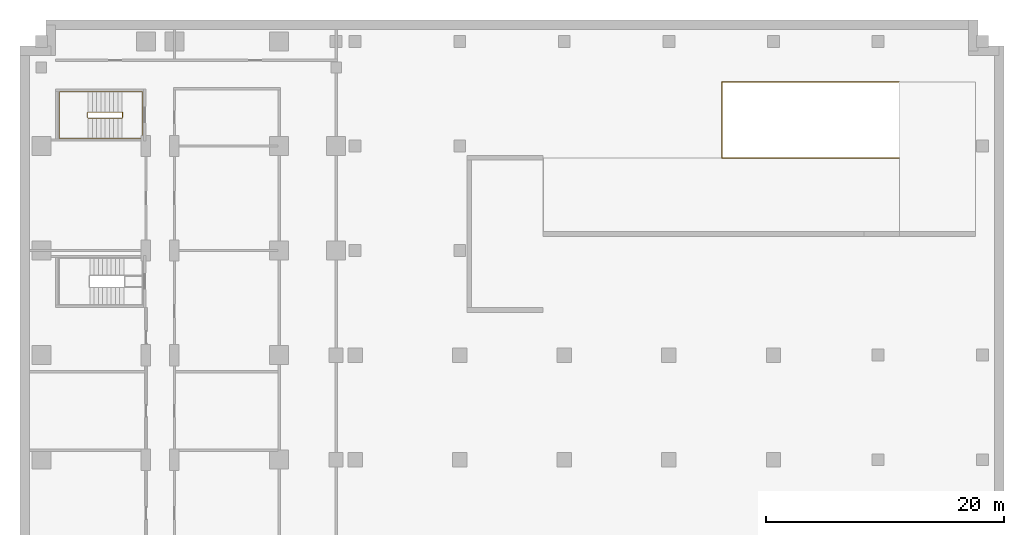
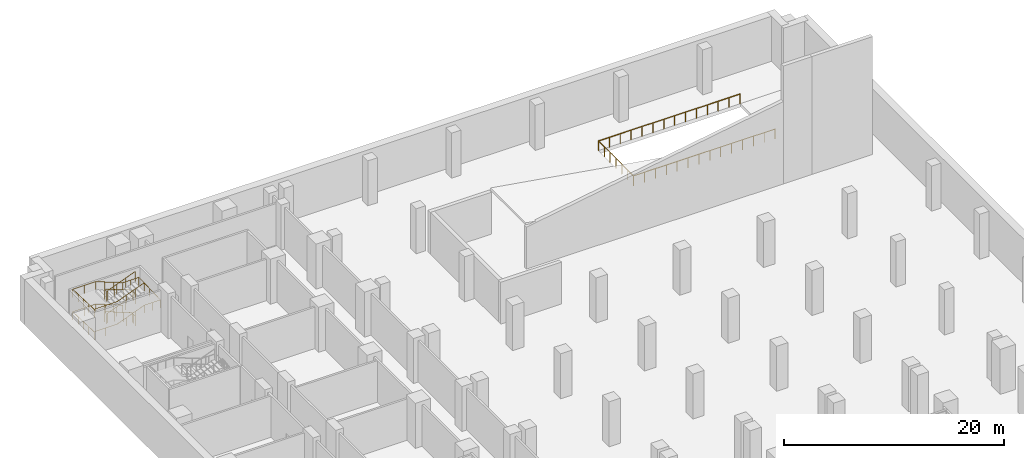
# One storey, part 12 of 12: 3 railings.
"""IFC4 building model written with IfcOpenShell, lengths in metres."""

from ifc_helpers import new_model, si_unit, direction, frame, origin, origin_2d, place, context, subcontext, project, spatial, circle, extrude, material, type_object, element, save


model = new_model("IFC4")

# Units and contexts
model_context = context("Model", 3, precision=1e-05, world=origin(), true_north=direction((0.0, 1.0)))
body_context = subcontext(model_context, "Body", "Model", "MODEL_VIEW")
ifc_project = project(units=[si_unit("LENGTHUNIT", "METRE"), si_unit("AREAUNIT", "SQUARE_METRE"), si_unit("VOLUMEUNIT", "CUBIC_METRE"), si_unit("PLANEANGLEUNIT", "RADIAN"), si_unit("MASSUNIT", "GRAM", prefix="KILO")], contexts=[model_context])

# Site, building, storey
site_placement = place(None, origin())
site = spatial("IfcSite", under=ifc_project, at=site_placement, CompositionType="ELEMENT")
building_placement = place(site_placement, origin())
building = spatial("IfcBuilding", under=site, at=building_placement, Name="Kemantara Hotel Tower", CompositionType="ELEMENT")
storey_placement = place(building_placement, frame((0.0, 0.0, -12.0)))
storey = spatial("IfcBuildingStorey", under=building, at=storey_placement, Name="B2", CompositionType="ELEMENT", Elevation=-12.0)

# Railings
ifc_material = material(Name="Stainless steel balustrade", Category="steel")
railing_type_1 = type_object("IfcRailingType", Name="STAINLESS STEEL GUARD 1100", PredefinedType="GUARDRAIL", material=ifc_material)
railing_1_placement = place(storey_placement, frame((73.14990234375, 76.800048828125, 0.0)))
element("IfcRailing", 1, at=railing_1_placement, inside=storey, type_object=railing_type_1, Name="RAMP OPENING GUARD", PredefinedType="GUARDRAIL", context=body_context, shape_type="SweptSolid", body=[
    extrude(circle(Radius=0.02392578125, at=origin_2d()), frame((0.0, 0.0, 1.076171875), z_axis=(-1.0, 0.0, 0.0), x_axis=(0.0, -1.0, 0.0)), (0.0, 0.0, 1.0), 14.875),
    extrude(circle(Radius=0.02392578125, at=origin_2d()), frame((-14.875, 0.0, 1.076171875), z_axis=(0.0, -1.0, 0.0), x_axis=(1.0, 0.0, 0.0)), (0.0, 0.0, 1.0), 6.400146484375),
    extrude(circle(Radius=0.02392578125, at=origin_2d()), frame((-14.875, -6.400146484375, 1.076171875), z_axis=(1.0, 0.0, 0.0), x_axis=(0.0, 1.0, 0.0)), (0.0, 0.0, 1.0), 14.875),
    extrude(circle(Radius=0.02099609375, at=origin_2d()), origin(), (0.0, 0.0, 1.0), 1.052001953125),
    extrude(circle(Radius=0.02099609375, at=origin_2d()), frame((-1.144287109375, 0.0, 0.0)), (0.0, 0.0, 1.0), 1.052001953125),
    extrude(circle(Radius=0.02099609375, at=origin_2d()), frame((-2.28857421875, 0.0, 0.0)), (0.0, 0.0, 1.0), 1.052001953125),
    extrude(circle(Radius=0.02099609375, at=origin_2d()), frame((-3.4326171875, 0.0, 0.0)), (0.0, 0.0, 1.0), 1.052001953125),
    extrude(circle(Radius=0.02099609375, at=origin_2d()), frame((-4.576904296875, 0.0, 0.0)), (0.0, 0.0, 1.0), 1.052001953125),
    extrude(circle(Radius=0.02099609375, at=origin_2d()), frame((-5.72119140625, 0.0, 0.0)), (0.0, 0.0, 1.0), 1.052001953125),
    extrude(circle(Radius=0.02099609375, at=origin_2d()), frame((-6.865478515625, 0.0, 0.0)), (0.0, 0.0, 1.0), 1.052001953125),
    extrude(circle(Radius=0.02099609375, at=origin_2d()), frame((-8.009521484375, 0.0, 0.0)), (0.0, 0.0, 1.0), 1.052001953125),
    extrude(circle(Radius=0.02099609375, at=origin_2d()), frame((-9.15380859375, 0.0, 0.0)), (0.0, 0.0, 1.0), 1.052001953125),
    extrude(circle(Radius=0.02099609375, at=origin_2d()), frame((-10.298095703125, 0.0, 0.0)), (0.0, 0.0, 1.0), 1.052001953125),
    extrude(circle(Radius=0.02099609375, at=origin_2d()), frame((-11.4423828125, 0.0, 0.0)), (0.0, 0.0, 1.0), 1.052001953125),
    extrude(circle(Radius=0.02099609375, at=origin_2d()), frame((-12.58642578125, 0.0, 0.0)), (0.0, 0.0, 1.0), 1.052001953125),
    extrude(circle(Radius=0.02099609375, at=origin_2d()), frame((-13.730712890625, 0.0, 0.0)), (0.0, 0.0, 1.0), 1.052001953125),
    extrude(circle(Radius=0.02099609375, at=origin_2d()), frame((-14.875, 0.0, 0.0)), (0.0, 0.0, 1.0), 1.052001953125),
    extrude(circle(Radius=0.02099609375, at=origin_2d()), frame((-14.875, -1.066650390625, 0.0)), (0.0, 0.0, 1.0), 1.052001953125),
    extrude(circle(Radius=0.02099609375, at=origin_2d()), frame((-14.875, -2.13330078125, 0.0)), (0.0, 0.0, 1.0), 1.052001953125),
    extrude(circle(Radius=0.02099609375, at=origin_2d()), frame((-14.875, -3.2001953125, 0.0)), (0.0, 0.0, 1.0), 1.052001953125),
    extrude(circle(Radius=0.02099609375, at=origin_2d()), frame((-14.875, -4.266845703125, 0.0)), (0.0, 0.0, 1.0), 1.052001953125),
    extrude(circle(Radius=0.02099609375, at=origin_2d()), frame((-14.875, -5.33349609375, 0.0)), (0.0, 0.0, 1.0), 1.052001953125),
    extrude(circle(Radius=0.02099609375, at=origin_2d()), frame((-14.875, -6.400146484375, 0.0)), (0.0, 0.0, 1.0), 1.052001953125),
    extrude(circle(Radius=0.02099609375, at=origin_2d()), frame((-13.730712890625, -6.400146484375, 0.0)), (0.0, 0.0, 1.0), 1.052001953125),
    extrude(circle(Radius=0.02099609375, at=origin_2d()), frame((-12.58642578125, -6.400146484375, 0.0)), (0.0, 0.0, 1.0), 1.052001953125),
    extrude(circle(Radius=0.02099609375, at=origin_2d()), frame((-11.4423828125, -6.400146484375, 0.0)), (0.0, 0.0, 1.0), 1.052001953125),
    extrude(circle(Radius=0.02099609375, at=origin_2d()), frame((-10.298095703125, -6.400146484375, 0.0)), (0.0, 0.0, 1.0), 1.052001953125),
    extrude(circle(Radius=0.02099609375, at=origin_2d()), frame((-9.15380859375, -6.400146484375, 0.0)), (0.0, 0.0, 1.0), 1.052001953125),
    extrude(circle(Radius=0.02099609375, at=origin_2d()), frame((-8.009521484375, -6.400146484375, 0.0)), (0.0, 0.0, 1.0), 1.052001953125),
    extrude(circle(Radius=0.02099609375, at=origin_2d()), frame((-6.865478515625, -6.400146484375, 0.0)), (0.0, 0.0, 1.0), 1.052001953125),
    extrude(circle(Radius=0.02099609375, at=origin_2d()), frame((-5.72119140625, -6.400146484375, 0.0)), (0.0, 0.0, 1.0), 1.052001953125),
    extrude(circle(Radius=0.02099609375, at=origin_2d()), frame((-4.576904296875, -6.400146484375, 0.0)), (0.0, 0.0, 1.0), 1.052001953125),
    extrude(circle(Radius=0.02099609375, at=origin_2d()), frame((-3.4326171875, -6.400146484375, 0.0)), (0.0, 0.0, 1.0), 1.052001953125),
    extrude(circle(Radius=0.02099609375, at=origin_2d()), frame((-2.28857421875, -6.400146484375, 0.0)), (0.0, 0.0, 1.0), 1.052001953125),
    extrude(circle(Radius=0.02099609375, at=origin_2d()), frame((-1.144287109375, -6.400146484375, 0.0)), (0.0, 0.0, 1.0), 1.052001953125),
    extrude(circle(Radius=0.02099609375, at=origin_2d()), frame((0.0, -6.400146484375, 0.0)), (0.0, 0.0, 1.0), 1.052001953125),
])
railing_type_2 = type_object("IfcRailingType", Name="Stair guard 1100 mm", PredefinedType="GUARDRAIL", material=ifc_material)
railing_2_placement = place(storey_placement, frame((7.800048828125, 73.75, 5.0)))
element("IfcRailing", 2, at=railing_2_placement, inside=storey, type_object=railing_type_2, Name="B2 ST6 stair guard 1", PredefinedType="GUARDRAIL", context=body_context, shape_type="SweptSolid", body=[
    extrude(circle(Radius=0.02392578125, at=origin_2d()), frame((0.0, 0.0, 1.076171875), z_axis=(-0.932982310422, 0.0, -0.359922225543), x_axis=(0.0, -1.0, 0.0)), (0.0, 0.0, 1.0), 3.0869140625),
    extrude(circle(Radius=0.02392578125, at=origin_2d()), frame((-2.880126953125, 0.0, -0.03515625), z_axis=(-0.319608697381, 0.321175406682, -0.891457592206), x_axis=(-0.708833529934, -0.705375805398, 0.0)), (0.0, 0.0, 1.0), 0.15576171875),
    extrude(circle(Radius=0.02392578125, at=origin_2d()), frame((-2.929931640625, 0.050048828125, -0.173828125), z_axis=(0.0, 1.0, 0.0), x_axis=(-1.0, 0.0, 0.0)), (0.0, 0.0, 1.0), 0.39990234375),
    extrude(circle(Radius=0.02392578125, at=origin_2d()), frame((-2.929931640625, 0.449951171875, -0.173828125), z_axis=(0.705375805398, 0.708833529934, 0.0), x_axis=(-0.708833529934, 0.705375805398, 0.0)), (0.0, 0.0, 1.0), 0.070556640625),
    extrude(circle(Radius=0.02392578125, at=origin_2d()), frame((-2.880126953125, 0.5, -0.173828125), z_axis=(0.932982310422, 0.0, -0.359922225543), x_axis=(0.0, 1.0, 0.0)), (0.0, 0.0, 1.0), 3.0869140625),
    extrude(circle(Radius=0.02392578125, at=origin_2d()), frame((0.0, 0.5, -1.28515625), z_axis=(0.105686461667, -0.950147067569, -0.293344374089), x_axis=(0.993870574751, 0.110549901152, 0.0)), (0.0, 0.0, 1.0), 0.4736328125),
    extrude(circle(Radius=0.02392578125, at=origin_2d()), frame((0.050048828125, 0.050048828125, -1.423828125), z_axis=(0.0, 1.0, 0.0), x_axis=(-1.0, 0.0, 0.0)), (0.0, 0.0, 1.0), 0.39990234375),
    extrude(circle(Radius=0.02392578125, at=origin_2d()), frame((0.050048828125, 0.449951171875, -1.423828125), z_axis=(-0.110549901152, -0.993870574751, 0.0), x_axis=(0.993870574751, -0.110549901152, 0.0)), (0.0, 0.0, 1.0), 0.45263671875),
    extrude(circle(Radius=0.02392578125, at=origin_2d()), frame((0.0, 0.0, -1.423828125), z_axis=(-0.932982310422, 0.0, -0.359922225543), x_axis=(0.0, -1.0, 0.0)), (0.0, 0.0, 1.0), 3.0869140625),
    extrude(circle(Radius=0.02392578125, at=origin_2d()), frame((-2.880126953125, 0.0, -2.53515625), z_axis=(-0.319608697381, 0.321175406682, -0.891457592206), x_axis=(-0.708833529934, -0.705375805398, 0.0)), (0.0, 0.0, 1.0), 0.15576171875),
    extrude(circle(Radius=0.02392578125, at=origin_2d()), frame((-2.929931640625, 0.050048828125, -2.673828125), z_axis=(0.0, 1.0, 0.0), x_axis=(-1.0, 0.0, 0.0)), (0.0, 0.0, 1.0), 0.39990234375),
    extrude(circle(Radius=0.02392578125, at=origin_2d()), frame((-2.929931640625, 0.449951171875, -2.673828125), z_axis=(0.705375805398, 0.708833529934, 0.0), x_axis=(-0.708833529934, 0.705375805398, 0.0)), (0.0, 0.0, 1.0), 0.070556640625),
    extrude(circle(Radius=0.02392578125, at=origin_2d()), frame((-2.880126953125, 0.5, -2.673828125), z_axis=(0.932982310422, 0.0, -0.359922225543), x_axis=(0.0, 1.0, 0.0)), (0.0, 0.0, 1.0), 3.0869140625),
    extrude(circle(Radius=0.02392578125, at=origin_2d()), frame((0.0, 0.5, -3.78515625), z_axis=(0.321014310373, -0.321014310373, -0.891010451718), x_axis=(0.707106781187, 0.707106781187, 0.0)), (0.0, 0.0, 1.0), 0.156005859375),
    extrude(circle(Radius=0.02392578125, at=origin_2d()), frame((0.050048828125, 0.449951171875, -3.923828125), z_axis=(0.0, -1.0, 0.0), x_axis=(1.0, 0.0, 0.0)), (0.0, 0.0, 1.0), 0.39990234375),
    extrude(circle(Radius=0.02099609375, at=origin_2d()), origin(), (0.0, 0.0, 1.0), 1.052001953125),
    extrude(circle(Radius=0.02099609375, at=origin_2d()), frame((-0.9599609375, 0.0, -0.370361328125)), (0.0, 0.0, 1.0), 1.052001953125),
    extrude(circle(Radius=0.02099609375, at=origin_2d()), frame((-1.920166015625, 0.0, -0.74072265625)), (0.0, 0.0, 1.0), 1.052001953125),
    extrude(circle(Radius=0.02099609375, at=origin_2d()), frame((-2.880126953125, 0.0, -1.111083984375)), (0.0, 0.0, 1.0), 1.052001953125),
    extrude(circle(Radius=0.02099609375, at=origin_2d()), frame((-2.929931640625, 0.050048828125, -1.25)), (0.0, 0.0, 1.0), 1.052001953125),
    extrude(circle(Radius=0.02099609375, at=origin_2d()), frame((-2.929931640625, 0.449951171875, -1.25)), (0.0, 0.0, 1.0), 1.052001953125),
    extrude(circle(Radius=0.02099609375, at=origin_2d()), frame((-2.880126953125, 0.5, -1.25)), (0.0, 0.0, 1.0), 1.052001953125),
    extrude(circle(Radius=0.02099609375, at=origin_2d()), frame((-1.920166015625, 0.5, -1.620361328125)), (0.0, 0.0, 1.0), 1.052001953125),
    extrude(circle(Radius=0.02099609375, at=origin_2d()), frame((-0.9599609375, 0.5, -1.99072265625)), (0.0, 0.0, 1.0), 1.052001953125),
    extrude(circle(Radius=0.02099609375, at=origin_2d()), frame((0.0, 0.5, -2.361083984375)), (0.0, 0.0, 1.0), 1.052001953125),
    extrude(circle(Radius=0.02099609375, at=origin_2d()), frame((0.050048828125, 0.050048828125, -2.5)), (0.0, 0.0, 1.0), 1.052001953125),
    extrude(circle(Radius=0.02099609375, at=origin_2d()), frame((0.050048828125, 0.449951171875, -2.5)), (0.0, 0.0, 1.0), 1.052001953125),
    extrude(circle(Radius=0.02099609375, at=origin_2d()), frame((0.0, 0.0, -2.5)), (0.0, 0.0, 1.0), 1.052001953125),
    extrude(circle(Radius=0.02099609375, at=origin_2d()), frame((-0.9599609375, 0.0, -2.870361328125)), (0.0, 0.0, 1.0), 1.052001953125),
    extrude(circle(Radius=0.02099609375, at=origin_2d()), frame((-1.920166015625, 0.0, -3.24072265625)), (0.0, 0.0, 1.0), 1.052001953125),
    extrude(circle(Radius=0.02099609375, at=origin_2d()), frame((-2.880126953125, 0.0, -3.611083984375)), (0.0, 0.0, 1.0), 1.052001953125),
    extrude(circle(Radius=0.02099609375, at=origin_2d()), frame((-2.929931640625, 0.050048828125, -3.75)), (0.0, 0.0, 1.0), 1.052001953125),
    extrude(circle(Radius=0.02099609375, at=origin_2d()), frame((-2.929931640625, 0.449951171875, -3.75)), (0.0, 0.0, 1.0), 1.052001953125),
    extrude(circle(Radius=0.02099609375, at=origin_2d()), frame((-2.880126953125, 0.5, -3.75)), (0.0, 0.0, 1.0), 1.052001953125),
    extrude(circle(Radius=0.02099609375, at=origin_2d()), frame((-1.920166015625, 0.5, -4.120361328125)), (0.0, 0.0, 1.0), 1.052001953125),
    extrude(circle(Radius=0.02099609375, at=origin_2d()), frame((-0.9599609375, 0.5, -4.49072265625)), (0.0, 0.0, 1.0), 1.052001953125),
    extrude(circle(Radius=0.02099609375, at=origin_2d()), frame((0.0, 0.5, -4.861083984375)), (0.0, 0.0, 1.0), 1.052001953125),
    extrude(circle(Radius=0.02099609375, at=origin_2d()), frame((0.050048828125, 0.449951171875, -5.0)), (0.0, 0.0, 1.0), 1.052001953125),
    extrude(circle(Radius=0.02099609375, at=origin_2d()), frame((0.050048828125, 0.050048828125, -5.0)), (0.0, 0.0, 1.0), 1.052001953125),
])
railing_type_3 = type_object("IfcRailingType", Name="Stair handrail 900 mm", PredefinedType="HANDRAIL", material=ifc_material)
railing_3_placement = place(storey_placement, frame((7.800048828125, 75.949951171875, 0.138916015625)))
element("IfcRailing", 3, at=railing_3_placement, inside=storey, type_object=railing_type_3, Name="B2 ST6 stair handrail 1", PredefinedType="HANDRAIL", context=body_context, shape_type="SweptSolid", body=[
    extrude(circle(Radius=0.02392578125, at=origin_2d()), frame((0.0, 0.0, 0.8759765625), z_axis=(-0.932982310422, 0.0, 0.359922225543), x_axis=(0.0, -1.0, 0.0)), (0.0, 0.0, 1.0), 3.0869140625),
    extrude(circle(Radius=0.02392578125, at=origin_2d()), frame((-2.880126953125, 0.0, 1.98681640625), z_axis=(-1.0, 0.0, 0.0), x_axis=(0.0, -1.0, 0.0)), (0.0, 0.0, 1.0), 2.39990234375),
    extrude(circle(Radius=0.02392578125, at=origin_2d()), frame((-5.280029296875, 0.0, 1.98681640625), z_axis=(0.0, -0.999366197222, 0.035597806825), x_axis=(1.0, 0.0, 0.0)), (0.0, 0.0, 1.0), 3.90234375),
    extrude(circle(Radius=0.02392578125, at=origin_2d()), frame((-5.280029296875, -3.89990234375, 2.1259765625), z_axis=(1.0, 0.0, 0.0), x_axis=(0.0, 1.0, 0.0)), (0.0, 0.0, 1.0), 2.39990234375),
    extrude(circle(Radius=0.02392578125, at=origin_2d()), frame((-2.880126953125, -3.89990234375, 2.1259765625), z_axis=(0.932982310422, 0.0, 0.359922225543), x_axis=(0.0, 1.0, 0.0)), (0.0, 0.0, 1.0), 3.0869140625),
    extrude(circle(Radius=0.02392578125, at=origin_2d()), frame((0.0, -3.89990234375, 3.23681640625), z_axis=(1.0, 0.0, 0.0), x_axis=(0.0, 1.0, 0.0)), (0.0, 0.0, 1.0), 1.679931640625),
    extrude(circle(Radius=0.02392578125, at=origin_2d()), frame((1.679931640625, -3.89990234375, 3.23681640625), z_axis=(0.0, 0.999366197222, 0.035597806825), x_axis=(-1.0, 0.0, 0.0)), (0.0, 0.0, 1.0), 3.90234375),
    extrude(circle(Radius=0.02392578125, at=origin_2d()), frame((1.679931640625, 0.0, 3.3759765625), z_axis=(-1.0, 0.0, 0.0), x_axis=(0.0, -1.0, 0.0)), (0.0, 0.0, 1.0), 1.679931640625),
    extrude(circle(Radius=0.02392578125, at=origin_2d()), frame((0.0, 0.0, 3.3759765625), z_axis=(-0.932982310422, 0.0, 0.359922225543), x_axis=(0.0, -1.0, 0.0)), (0.0, 0.0, 1.0), 3.0869140625),
    extrude(circle(Radius=0.02392578125, at=origin_2d()), frame((-2.880126953125, 0.0, 4.48681640625), z_axis=(-1.0, 0.0, 0.0), x_axis=(0.0, -1.0, 0.0)), (0.0, 0.0, 1.0), 2.39990234375),
    extrude(circle(Radius=0.02392578125, at=origin_2d()), frame((-5.280029296875, 0.0, 4.48681640625), z_axis=(0.0, -0.999366197222, 0.035597806825), x_axis=(1.0, 0.0, 0.0)), (0.0, 0.0, 1.0), 3.90234375),
    extrude(circle(Radius=0.02392578125, at=origin_2d()), frame((-5.280029296875, -3.89990234375, 4.6259765625), z_axis=(1.0, 0.0, 0.0), x_axis=(0.0, 1.0, 0.0)), (0.0, 0.0, 1.0), 2.39990234375),
    extrude(circle(Radius=0.02392578125, at=origin_2d()), frame((-2.880126953125, -3.89990234375, 4.6259765625), z_axis=(0.932982310422, 0.0, 0.359922225543), x_axis=(0.0, 1.0, 0.0)), (0.0, 0.0, 1.0), 3.0869140625),
    extrude(circle(Radius=0.02099609375, at=origin_2d()), origin(), (0.0, 0.0, 1.0), 0.851806640625),
    extrude(circle(Radius=0.02099609375, at=origin_2d()), frame((-0.9599609375, 0.0, 0.370361328125)), (0.0, 0.0, 1.0), 0.851806640625),
    extrude(circle(Radius=0.02099609375, at=origin_2d()), frame((-1.920166015625, 0.0, 0.74072265625)), (0.0, 0.0, 1.0), 0.851806640625),
    extrude(circle(Radius=0.02099609375, at=origin_2d()), frame((-2.880126953125, 0.0, 1.111083984375)), (0.0, 0.0, 1.0), 0.851806640625),
    extrude(circle(Radius=0.02099609375, at=origin_2d()), frame((-4.080078125, 0.0, 1.111083984375)), (0.0, 0.0, 1.0), 0.851806640625),
    extrude(circle(Radius=0.02099609375, at=origin_2d()), frame((-5.280029296875, 0.0, 1.111083984375)), (0.0, 0.0, 1.0), 0.851806640625),
    extrude(circle(Radius=0.02099609375, at=origin_2d()), frame((-5.280029296875, -0.97509765625, 1.145751953125)), (0.0, 0.0, 1.0), 0.851806640625),
    extrude(circle(Radius=0.02099609375, at=origin_2d()), frame((-5.280029296875, -1.949951171875, 1.1806640625)), (0.0, 0.0, 1.0), 0.851806640625),
    extrude(circle(Radius=0.02099609375, at=origin_2d()), frame((-5.280029296875, -2.9248046875, 1.21533203125)), (0.0, 0.0, 1.0), 0.851806640625),
    extrude(circle(Radius=0.02099609375, at=origin_2d()), frame((-5.280029296875, -3.89990234375, 1.25)), (0.0, 0.0, 1.0), 0.851806640625),
    extrude(circle(Radius=0.02099609375, at=origin_2d()), frame((-4.080078125, -3.89990234375, 1.25)), (0.0, 0.0, 1.0), 0.851806640625),
    extrude(circle(Radius=0.02099609375, at=origin_2d()), frame((-2.880126953125, -3.89990234375, 1.25)), (0.0, 0.0, 1.0), 0.851806640625),
    extrude(circle(Radius=0.02099609375, at=origin_2d()), frame((-1.920166015625, -3.89990234375, 1.620361328125)), (0.0, 0.0, 1.0), 0.851806640625),
    extrude(circle(Radius=0.02099609375, at=origin_2d()), frame((-0.9599609375, -3.89990234375, 1.99072265625)), (0.0, 0.0, 1.0), 0.851806640625),
    extrude(circle(Radius=0.02099609375, at=origin_2d()), frame((0.0, -3.89990234375, 2.361083984375)), (0.0, 0.0, 1.0), 0.851806640625),
    extrude(circle(Radius=0.02099609375, at=origin_2d()), frame((0.83984375, -3.89990234375, 2.361083984375)), (0.0, 0.0, 1.0), 0.851806640625),
    extrude(circle(Radius=0.02099609375, at=origin_2d()), frame((1.679931640625, -3.89990234375, 2.361083984375)), (0.0, 0.0, 1.0), 0.851806640625),
    extrude(circle(Radius=0.02099609375, at=origin_2d()), frame((1.679931640625, -2.9248046875, 2.395751953125)), (0.0, 0.0, 1.0), 0.851806640625),
    extrude(circle(Radius=0.02099609375, at=origin_2d()), frame((1.679931640625, -1.949951171875, 2.4306640625)), (0.0, 0.0, 1.0), 0.851806640625),
    extrude(circle(Radius=0.02099609375, at=origin_2d()), frame((1.679931640625, -0.97509765625, 2.46533203125)), (0.0, 0.0, 1.0), 0.851806640625),
    extrude(circle(Radius=0.02099609375, at=origin_2d()), frame((1.679931640625, 0.0, 2.5)), (0.0, 0.0, 1.0), 0.851806640625),
    extrude(circle(Radius=0.02099609375, at=origin_2d()), frame((0.83984375, 0.0, 2.5)), (0.0, 0.0, 1.0), 0.851806640625),
    extrude(circle(Radius=0.02099609375, at=origin_2d()), frame((0.0, 0.0, 2.5)), (0.0, 0.0, 1.0), 0.851806640625),
    extrude(circle(Radius=0.02099609375, at=origin_2d()), frame((-0.9599609375, 0.0, 2.870361328125)), (0.0, 0.0, 1.0), 0.851806640625),
    extrude(circle(Radius=0.02099609375, at=origin_2d()), frame((-1.920166015625, 0.0, 3.24072265625)), (0.0, 0.0, 1.0), 0.851806640625),
    extrude(circle(Radius=0.02099609375, at=origin_2d()), frame((-2.880126953125, 0.0, 3.611083984375)), (0.0, 0.0, 1.0), 0.851806640625),
    extrude(circle(Radius=0.02099609375, at=origin_2d()), frame((-4.080078125, 0.0, 3.611083984375)), (0.0, 0.0, 1.0), 0.851806640625),
    extrude(circle(Radius=0.02099609375, at=origin_2d()), frame((-5.280029296875, 0.0, 3.611083984375)), (0.0, 0.0, 1.0), 0.851806640625),
    extrude(circle(Radius=0.02099609375, at=origin_2d()), frame((-5.280029296875, -0.97509765625, 3.645751953125)), (0.0, 0.0, 1.0), 0.851806640625),
    extrude(circle(Radius=0.02099609375, at=origin_2d()), frame((-5.280029296875, -1.949951171875, 3.6806640625)), (0.0, 0.0, 1.0), 0.851806640625),
    extrude(circle(Radius=0.02099609375, at=origin_2d()), frame((-5.280029296875, -2.9248046875, 3.71533203125)), (0.0, 0.0, 1.0), 0.851806640625),
    extrude(circle(Radius=0.02099609375, at=origin_2d()), frame((-5.280029296875, -3.89990234375, 3.75)), (0.0, 0.0, 1.0), 0.851806640625),
    extrude(circle(Radius=0.02099609375, at=origin_2d()), frame((-4.080078125, -3.89990234375, 3.75)), (0.0, 0.0, 1.0), 0.851806640625),
    extrude(circle(Radius=0.02099609375, at=origin_2d()), frame((-2.880126953125, -3.89990234375, 3.75)), (0.0, 0.0, 1.0), 0.851806640625),
    extrude(circle(Radius=0.02099609375, at=origin_2d()), frame((-1.920166015625, -3.89990234375, 4.120361328125)), (0.0, 0.0, 1.0), 0.851806640625),
    extrude(circle(Radius=0.02099609375, at=origin_2d()), frame((-0.9599609375, -3.89990234375, 4.49072265625)), (0.0, 0.0, 1.0), 0.851806640625),
    extrude(circle(Radius=0.02099609375, at=origin_2d()), frame((0.0, -3.89990234375, 4.861083984375)), (0.0, 0.0, 1.0), 0.851806640625),
])

save(model, "model.ifc")
